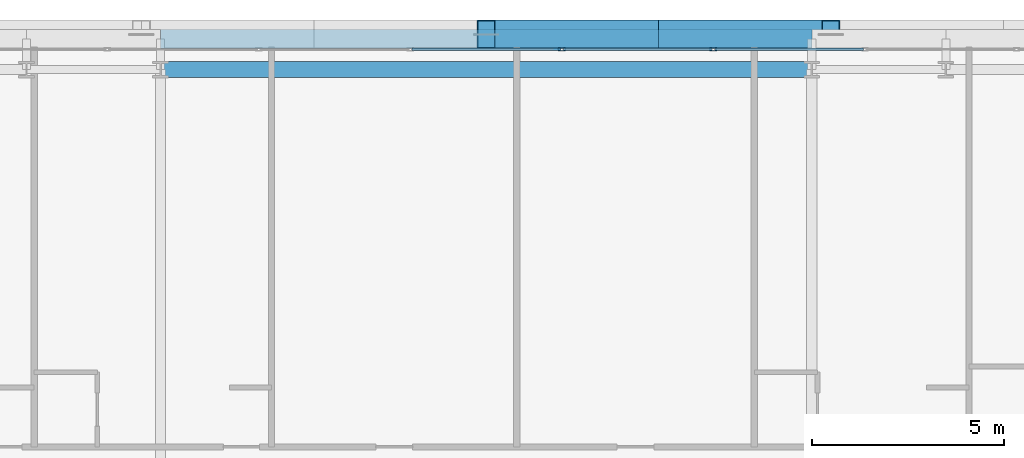
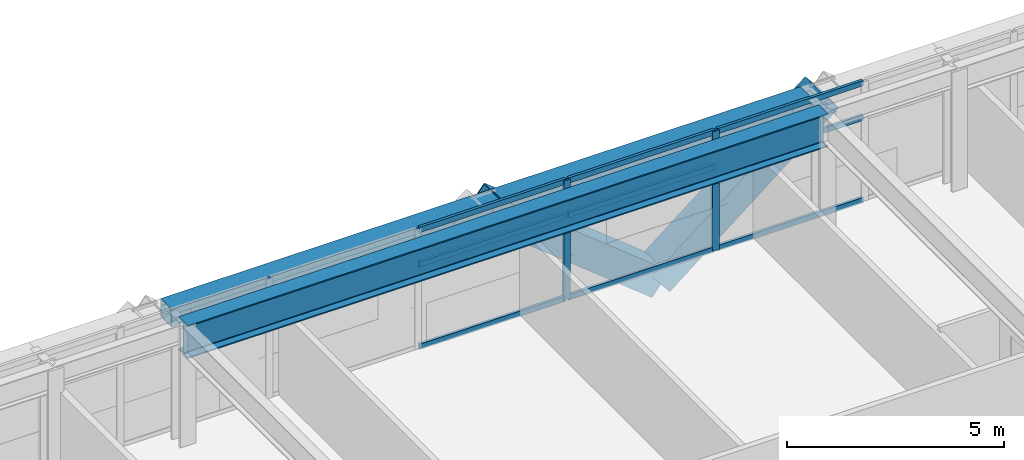
# One storey, part 19 of 35: 13 members, 2 beams, 1 element without a shape of its own.
"""IFC4 building model written with IfcOpenShell, lengths in metres."""

from ifc_helpers import new_model, si_unit, direction, frame, origin, origin_2d, place, context, subcontext, project, spatial, hollow_rectangle, i_section, extrude, source, transform, mapped, material, layer, layer_set, material_profile, profile_set, type_object, element, aggregate, save


model = new_model("IFC4")

# Units and contexts
model_context = context("Model", 3, precision=1e-05, world=origin(), true_north=direction((0.0, 1.0)))
body_context = subcontext(model_context, "Body", "Model", "MODEL_VIEW")
ifc_project = project(units=[si_unit("LENGTHUNIT", "METRE"), si_unit("AREAUNIT", "SQUARE_METRE"), si_unit("VOLUMEUNIT", "CUBIC_METRE"), si_unit("PLANEANGLEUNIT", "RADIAN"), si_unit("MASSUNIT", "GRAM", prefix="KILO")], contexts=[model_context])

# Site, building, storey
site_placement = place(None, origin())
site = spatial("IfcSite", under=ifc_project, at=site_placement, CompositionType="ELEMENT")
building_placement = place(site_placement, origin())
building = spatial("IfcBuilding", under=site, at=building_placement, Name="Ocotamira Hotel", CompositionType="ELEMENT")
storey_placement = place(building_placement, frame((0.0, 0.0, 122.39990234375)))
storey = spatial("IfcBuildingStorey", under=building, at=storey_placement, Name="L30", CompositionType="ELEMENT", Elevation=122.39990234375)

# Beams
ifc_material_1 = material(Name="Steel ASTM A992 Grade 50", Category="steel")
ifc_material_profile_1 = material_profile(ifc_material_1, i_section(OverallWidth=0.41796875, OverallDepth=0.927001953125, WebThickness=0.019287109375, FlangeThickness=0.031982421875, FilletRadius=0.02392578125, at=origin_2d()), Name="W36X231")
ifc_profile_set_1 = profile_set([ifc_material_profile_1], Name="Steel ASTM A992 Grade 50")
beam_type_1 = type_object("IfcBeamType", Name="BM-GIRD-W36X231", PredefinedType="BEAM", material=ifc_profile_set_1)
shared_shape_1 = source(origin(), body_context, "Body", "SweptSolid", [
    extrude(i_section(OverallWidth=0.41796875, OverallDepth=0.927001953125, WebThickness=0.019287109375, FlangeThickness=0.031982421875, FilletRadius=0.02392578125, at=origin_2d()), origin(), (0.0, 0.0, 1.0), 17.0),
])
beam_1_placement = place(storey_placement, frame((23.5, 49.050048828125, 2.896484375), z_axis=(1.0, 0.0, 0.0), x_axis=(0.0, 1.0, 0.0)))
element("IfcBeam", 1, at=beam_1_placement, inside=storey, type_object=beam_type_1, Name="L30 Girder Y49.05 X23.5-40.5", PredefinedType="BEAM", context=body_context, shape_type="MappedRepresentation", body=[
    mapped(shared_shape_1, transform((0.0, 0.0, 0.0), scale=1.0)),
])
ifc_material_2 = material(Name="Steel ASTM A500 Grade C", Category="steel")
ifc_material_profile_2 = material_profile(ifc_material_2, hollow_rectangle(XDim=0.5, YDim=0.5, WallThickness=0.02001953125, at=origin_2d()), Name="HSS500X500X20")
ifc_profile_set_2 = profile_set([ifc_material_profile_2], Name="Steel ASTM A500 Grade C")
beam_type_2 = type_object("IfcBeamType", Name="BM-SPAN-HSS500", PredefinedType="USERDEFINED", material=ifc_profile_set_2)
shared_shape_2 = source(origin(), body_context, "Body", "SweptSolid", [
    extrude(hollow_rectangle(XDim=0.5, YDim=0.5, WallThickness=0.02001953125, at=origin_2d()), origin(), (0.0, 0.0, 1.0), 17.0),
])
beam_2_placement = place(storey_placement, frame((23.5, 49.85009765625, 3.110107421875), z_axis=(1.0, 0.0, 0.0), x_axis=(0.0, 1.0, 0.0)))
element("IfcBeam", 2, at=beam_2_placement, inside=storey, type_object=beam_type_2, Name="L30 Edge Spandrel N X23.5-40.5", ObjectType="SPANDREL", PredefinedType="USERDEFINED", context=body_context, shape_type="MappedRepresentation", body=[
    mapped(shared_shape_2, transform((0.0, 0.0, 0.0), scale=1.0)),
])

# Members
ifc_material_3 = material(Name="Pale-metal coated steel ASTM A913 Grade 65", Category="steel")
ifc_material_profile_3 = material_profile(ifc_material_3, hollow_rectangle(XDim=0.75, YDim=0.75, WallThickness=0.028076171875, at=origin_2d()), Name="BOX750X750X28")
ifc_profile_set_3 = profile_set([ifc_material_profile_3], Name="Pale-metal coated steel ASTM A913 Grade 65")
member_type_1 = type_object("IfcMemberType", Name="MEM-EXO-BOX750", PredefinedType="BRACE", material=ifc_profile_set_3)
shared_shape_3 = source(origin(), body_context, "Body", "SweptSolid", [
    extrude(hollow_rectangle(XDim=0.75, YDim=0.75, WallThickness=0.028076171875, at=origin_2d()), origin(), (0.0, 0.0, 1.0), 5.762939453125),
])
for number, where, z_axis, x_axis, name in (
    (3, (36.5, 49.969970703125, -0.489990234375), (-0.780860543151, 0.0, 0.624705380279), (0.0, -1.0, 0.0), "L30 Exoskeleton Diagrid N2.1"),
    (4, (36.5, 49.969970703125, -0.489990234375), (0.780860543151, 0.0, 0.624705380279), (0.0, 1.0, 0.0), "L30 Exoskeleton Diagrid N2.2"),
):
    element("IfcMember", number, at=place(storey_placement, frame(where, z_axis=z_axis, x_axis=x_axis)), inside=storey, type_object=member_type_1, Name=name, PredefinedType="BRACE", context=body_context, shape_type="MappedRepresentation", body=[
        mapped(shared_shape_3, transform((0.0, 0.0, 0.0), scale=1.0)),
    ])

# Curtain wall, members
ifc_material_4 = material(Name="Anodised pale-metal aluminium and solar glass", Category="aluminium")
ifc_layer = layer(ifc_material_4, 0.179931640625)
ifc_layer_set = layer_set([ifc_layer], Name="Anodised pale-metal aluminium and solar glass")
curtain_wall_type = type_object("IfcCurtainWallType", Name="CW-SYS3-Z2", PredefinedType="NOTDEFINED", material=ifc_layer_set)
curtain_wall_placement = place(storey_placement, origin())
curtain_wall = element("IfcCurtainWall", 5, at=curtain_wall_placement, inside=storey, type_object=curtain_wall_type, Name="L30 Curtain Wall CW-3 CW-L30-N", PredefinedType="NOTDEFINED")
ifc_material_5 = material(Name="Anodised pale-metal aluminium 6063-T6", Category="aluminium")
ifc_material_profile_4 = material_profile(ifc_material_5, hollow_rectangle(XDim=0.074951171875, YDim=0.14990234375, WallThickness=0.006103515625, at=origin_2d()), Name="HSS150X75X6")
ifc_profile_set_4 = profile_set([ifc_material_profile_4], Name="Anodised pale-metal aluminium 6063-T6")
member_type_2 = type_object("IfcMemberType", Name="CWT-150X75", PredefinedType="USERDEFINED", material=ifc_profile_set_4)
shared_shape_4 = source(origin(), body_context, "Body", "SweptSolid", [
    extrude(hollow_rectangle(XDim=0.074951171875, YDim=0.14990234375, WallThickness=0.006103515625, at=origin_2d()), origin(), (0.0, 0.0, 1.0), 3.87548828125),
])
member_1_placement = place(storey_placement, frame((30.062255859375, 49.580078125, 0.03759765625), z_axis=(1.0, 0.0, 0.0), x_axis=(0.0, 1.0, 0.0)))
member_1 = element("IfcMember", 6, at=member_1_placement, type_object=member_type_2, Name="CW-3 transom 5.1", ObjectType="TRANSOM", PredefinedType="USERDEFINED", context=body_context, shape_type="MappedRepresentation", body=[
    mapped(shared_shape_4, transform((0.0, 0.0, 0.0), scale=1.0)),
])
member_2_placement = place(storey_placement, frame((30.062255859375, 49.580078125, 2.35009765625), z_axis=(1.0, 0.0, 0.0), x_axis=(0.0, 1.0, 0.0)))
member_2 = element("IfcMember", 7, at=member_2_placement, type_object=member_type_2, Name="CW-3 transom 5.2", ObjectType="TRANSOM", PredefinedType="USERDEFINED", context=body_context, shape_type="MappedRepresentation", body=[
    mapped(shared_shape_4, transform((0.0, 0.0, 0.0), scale=1.0)),
])
member_3_placement = place(storey_placement, frame((30.062255859375, 49.580078125, 3.322509765625), z_axis=(1.0, 0.0, 0.0), x_axis=(0.0, 1.0, 0.0)))
member_3 = element("IfcMember", 8, at=member_3_placement, type_object=member_type_2, Name="CW-3 transom 5.3", ObjectType="TRANSOM", PredefinedType="USERDEFINED", context=body_context, shape_type="MappedRepresentation", body=[
    mapped(shared_shape_4, transform((0.0, 0.0, 0.0), scale=1.0)),
])
member_4_placement = place(storey_placement, frame((34.017822265625, 49.580078125, 0.03759765625), z_axis=(1.0, 0.0, 0.0), x_axis=(0.0, 1.0, 0.0)))
member_4 = element("IfcMember", 9, at=member_4_placement, type_object=member_type_2, Name="CW-3 transom 6.1", ObjectType="TRANSOM", PredefinedType="USERDEFINED", context=body_context, shape_type="MappedRepresentation", body=[
    mapped(shared_shape_4, transform((0.0, 0.0, 0.0), scale=1.0)),
])
member_5_placement = place(storey_placement, frame((34.017822265625, 49.580078125, 2.35009765625), z_axis=(1.0, 0.0, 0.0), x_axis=(0.0, 1.0, 0.0)))
member_5 = element("IfcMember", 10, at=member_5_placement, type_object=member_type_2, Name="CW-3 transom 6.2", ObjectType="TRANSOM", PredefinedType="USERDEFINED", context=body_context, shape_type="MappedRepresentation", body=[
    mapped(shared_shape_4, transform((0.0, 0.0, 0.0), scale=1.0)),
])
member_6_placement = place(storey_placement, frame((34.017822265625, 49.580078125, 3.322509765625), z_axis=(1.0, 0.0, 0.0), x_axis=(0.0, 1.0, 0.0)))
member_6 = element("IfcMember", 11, at=member_6_placement, type_object=member_type_2, Name="CW-3 transom 6.3", ObjectType="TRANSOM", PredefinedType="USERDEFINED", context=body_context, shape_type="MappedRepresentation", body=[
    mapped(shared_shape_4, transform((0.0, 0.0, 0.0), scale=1.0)),
])
member_7_placement = place(storey_placement, frame((37.973388671875, 49.580078125, 0.03759765625), z_axis=(1.0, 0.0, 0.0), x_axis=(0.0, 1.0, 0.0)))
member_7 = element("IfcMember", 12, at=member_7_placement, type_object=member_type_2, Name="CW-3 transom 7.1", ObjectType="TRANSOM", PredefinedType="USERDEFINED", context=body_context, shape_type="MappedRepresentation", body=[
    mapped(shared_shape_4, transform((0.0, 0.0, 0.0), scale=1.0)),
])
member_8_placement = place(storey_placement, frame((37.973388671875, 49.580078125, 2.35009765625), z_axis=(1.0, 0.0, 0.0), x_axis=(0.0, 1.0, 0.0)))
member_8 = element("IfcMember", 13, at=member_8_placement, type_object=member_type_2, Name="CW-3 transom 7.2", ObjectType="TRANSOM", PredefinedType="USERDEFINED", context=body_context, shape_type="MappedRepresentation", body=[
    mapped(shared_shape_4, transform((0.0, 0.0, 0.0), scale=1.0)),
])
member_9_placement = place(storey_placement, frame((37.973388671875, 49.580078125, 3.322509765625), z_axis=(1.0, 0.0, 0.0), x_axis=(0.0, 1.0, 0.0)))
member_9 = element("IfcMember", 14, at=member_9_placement, type_object=member_type_2, Name="CW-3 transom 7.3", ObjectType="TRANSOM", PredefinedType="USERDEFINED", context=body_context, shape_type="MappedRepresentation", body=[
    mapped(shared_shape_4, transform((0.0, 0.0, 0.0), scale=1.0)),
])
ifc_material_profile_5 = material_profile(ifc_material_5, hollow_rectangle(XDim=0.080078125, YDim=0.179931640625, WallThickness=0.006103515625, at=origin_2d()), Name="HSS180X80X6")
ifc_profile_set_5 = profile_set([ifc_material_profile_5], Name="Anodised pale-metal aluminium 6063-T6")
member_type_3 = type_object("IfcMemberType", Name="CWM-180X75", PredefinedType="MULLION", material=ifc_profile_set_5)
shared_shape_5 = source(origin(), body_context, "Body", "SweptSolid", [
    extrude(hollow_rectangle(XDim=0.080078125, YDim=0.179931640625, WallThickness=0.006103515625, at=origin_2d()), origin(), (0.0, 0.0, 1.0), 3.360107421875),
])
member_10_placement = place(storey_placement, frame((33.977783203125, 49.580078125, 0.0), z_axis=(0.0, 0.0, 1.0), x_axis=(0.0, 1.0, 0.0)))
member_10 = element("IfcMember", 15, at=member_10_placement, type_object=member_type_3, Name="CW-3 mullion 6", PredefinedType="MULLION", context=body_context, shape_type="MappedRepresentation", body=[
    mapped(shared_shape_5, transform((0.0, 0.0, 0.0), scale=1.0)),
])
member_11_placement = place(storey_placement, frame((37.933349609375, 49.580078125, 0.0), z_axis=(0.0, 0.0, 1.0), x_axis=(0.0, 1.0, 0.0)))
member_11 = element("IfcMember", 16, at=member_11_placement, type_object=member_type_3, Name="CW-3 mullion 7", PredefinedType="MULLION", context=body_context, shape_type="MappedRepresentation", body=[
    mapped(shared_shape_5, transform((0.0, 0.0, 0.0), scale=1.0)),
])
aggregate(curtain_wall, [member_10, member_11, member_1, member_2, member_3, member_4, member_5, member_6, member_7, member_8, member_9])

save(model, "model.ifc")
